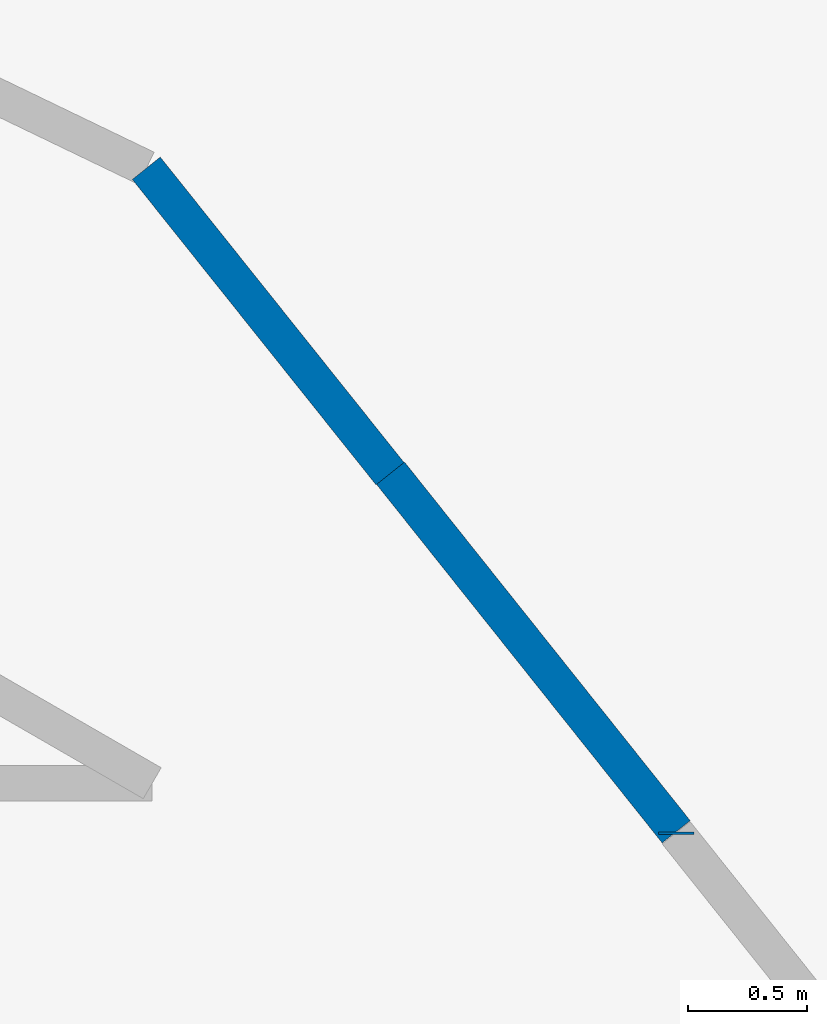
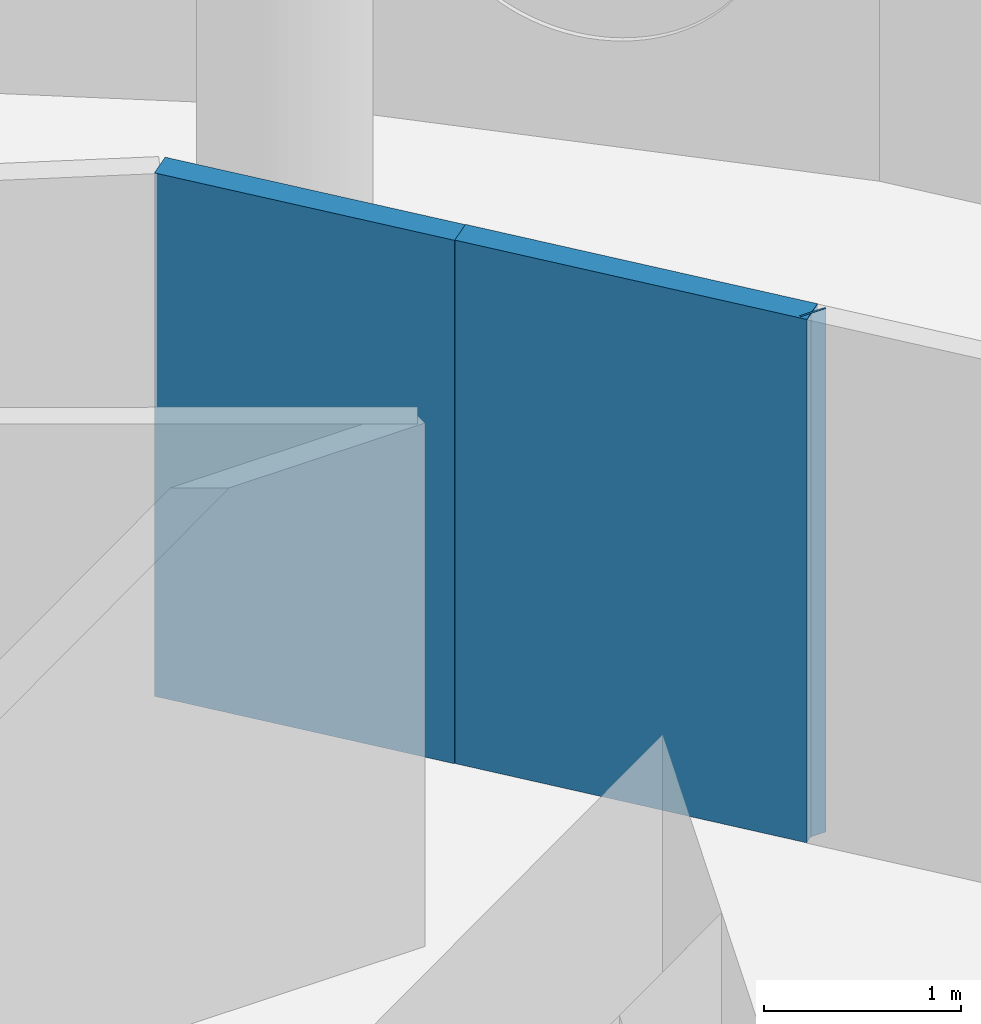
# One storey, part 9 of 13: 3 walls.
"""IFC4 building model written with IfcOpenShell, lengths in metres."""

from ifc_helpers import new_model, si_unit, direction, frame, frame_2d, origin, place, context, subcontext, project, spatial, rectangle, extrude, material, layer, layer_set, type_object, element, save


model = new_model("IFC4")

# Units and contexts
model_context = context("Model", 3, precision=1e-05, world=origin(), true_north=direction((0.0, 1.0)))
body_context = subcontext(model_context, "Body", "Model", "MODEL_VIEW")
ifc_project = project(units=[si_unit("LENGTHUNIT", "METRE"), si_unit("AREAUNIT", "SQUARE_METRE"), si_unit("VOLUMEUNIT", "CUBIC_METRE"), si_unit("PLANEANGLEUNIT", "RADIAN"), si_unit("MASSUNIT", "GRAM", prefix="KILO")], contexts=[model_context])

# Site, building, storey
site_placement = place(None, origin())
site = spatial("IfcSite", under=ifc_project, at=site_placement, CompositionType="ELEMENT")
building_placement = place(site_placement, origin())
building = spatial("IfcBuilding", under=site, at=building_placement, Name="Tracery Tower", CompositionType="ELEMENT")
storey_placement = place(building_placement, frame((0.0, 0.0, 298.199951171875)))
storey = spatial("IfcBuildingStorey", under=building, at=storey_placement, Name="L77", CompositionType="ELEMENT", Elevation=298.199951171875)

# Walls
ifc_material = material(Name="Plasterboard on steel studs", Category="steel")
ifc_layer = layer(ifc_material, 0.14990234375)
ifc_layer_set = layer_set([ifc_layer], Name="Partition 150 corridor wall")
wall_type = type_object("IfcWallType", Name="Partition 150 corridor wall", PredefinedType="PARTITIONING", material=ifc_layer_set)
wall_1_placement = place(storey_placement, frame((10.10107421875, 10.10107421875, 0.0), z_axis=(0.0, 0.0, 1.0), x_axis=(0.623130947784, -0.782117524362, 0.0)))
element("IfcWall", 1, at=wall_1_placement, inside=storey, type_object=wall_type, Name="Corridor wall RC7-004", PredefinedType="PARTITIONING", context=body_context, shape_type="SweptSolid", body=[
    extrude(rectangle(XDim=1.924072265625, YDim=0.14990234375, at=frame_2d((0.9619140625, 0.0))), origin(), (0.0, 0.0, 1.0), 3.25),
])
wall_2_placement = place(storey_placement, frame((11.300048828125, 8.5849609375, 0.0), z_axis=(0.0, 0.0, 1.0), x_axis=(0.0, 1.0, 0.0)))
element("IfcWall", 2, at=wall_2_placement, inside=storey, type_object=wall_type, Name="Corridor wall RC7-006", PredefinedType="PARTITIONING", context=body_context, shape_type="SweptSolid", body=[
    extrude(rectangle(XDim=0.01123046875, YDim=0.14990234375, at=frame_2d((0.005615234375, 0.0))), origin(), (0.0, 0.0, 1.0), 3.25),
])
wall_3_placement = place(storey_placement, frame((9.075927734375, 11.381103515625, 0.0), z_axis=(0.0, 0.0, 1.0), x_axis=(0.623805208652, -0.781579849829, 0.0)))
element("IfcWall", 3, at=wall_3_placement, inside=storey, type_object=wall_type, Name="Corridor wall RC7-027", PredefinedType="PARTITIONING", context=body_context, shape_type="SweptSolid", body=[
    extrude(rectangle(XDim=1.64013671875, YDim=0.14990234375, at=frame_2d((0.820068359375, 0.0))), origin(), (0.0, 0.0, 1.0), 3.25),
])

save(model, "model.ifc")
